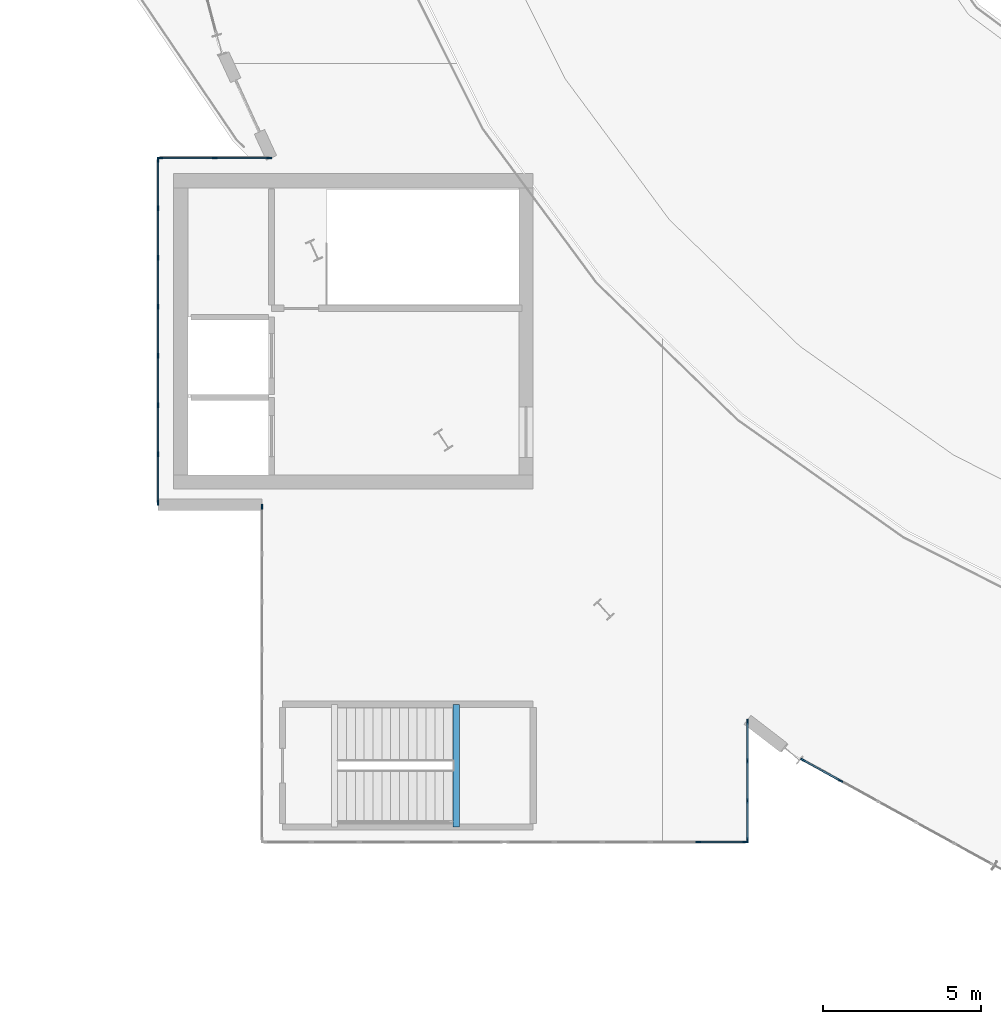
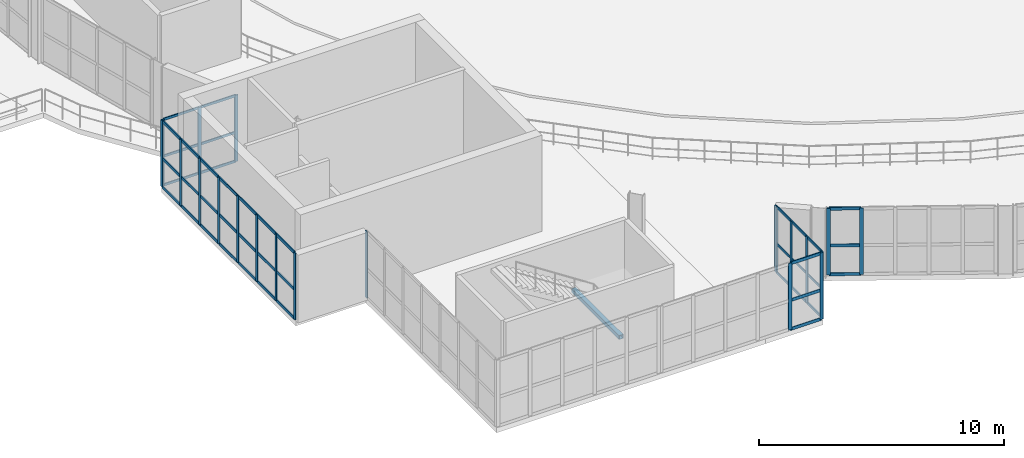
# One storey, part 8 of 40: 62 members, 1 beam, 6 elements without a shape of their own.
"""IFC4 building model written with IfcOpenShell, lengths in metres."""

from ifc_helpers import new_model, si_unit, direction, frame, origin, origin_2d, place, context, subcontext, project, spatial, rectangle, hollow_rectangle, extrude, material, material_profile, profile_set, type_object, element, aggregate, save


model = new_model("IFC4")

# Units and contexts
model_context = context("Model", 3, precision=1e-05, world=origin(), true_north=direction((0.0, 1.0)))
body_context = subcontext(model_context, "Body", "Model", "MODEL_VIEW")
ifc_project = project(units=[si_unit("LENGTHUNIT", "METRE"), si_unit("AREAUNIT", "SQUARE_METRE"), si_unit("VOLUMEUNIT", "CUBIC_METRE"), si_unit("PLANEANGLEUNIT", "RADIAN"), si_unit("MASSUNIT", "GRAM", prefix="KILO")], contexts=[model_context])

# Site, building, storey
site_placement = place(None, origin())
site = spatial("IfcSite", under=ifc_project, at=site_placement, CompositionType="ELEMENT")
building_placement = place(site_placement, origin())
building = spatial("IfcBuilding", under=site, at=building_placement, Name="Glasvene Arena", CompositionType="ELEMENT")
storey_placement = place(building_placement, frame((0.0, 0.0, 24.0)))
storey = spatial("IfcBuildingStorey", under=building, at=storey_placement, Name="L05", CompositionType="ELEMENT", Elevation=24.0)

# Beam
ifc_material_1 = material(Name="Steel S355J2", Category="steel")
ifc_material_profile_1 = material_profile(ifc_material_1, hollow_rectangle(XDim=0.199951171875, YDim=0.199951171875, WallThickness=0.010009765625, at=origin_2d()), Name="SHS 200x200x10.0")
ifc_profile_set_1 = profile_set([ifc_material_profile_1], Name="Steel S355J2")
beam_type = type_object("IfcBeamType", Name="BM-LINTEL-200", PredefinedType="LINTEL", material=ifc_profile_set_1)
beam_placement = place(storey_placement, frame((51.9599609375, 34.280029296875, 2.080078125), z_axis=(0.0, 1.0, 0.0), x_axis=(-1.0, 0.0, 0.0)))
element("IfcBeam", 1, at=beam_placement, inside=storey, type_object=beam_type, Name="Stair half-landing support beam ST-05-L05", PredefinedType="LINTEL", context=body_context, shape_type="SweptSolid", body=[
    extrude(hollow_rectangle(XDim=0.199951171875, YDim=0.199951171875, WallThickness=0.010009765625, at=origin_2d()), origin(), (0.0, 0.0, 1.0), 3.889892578125),
])

# Curtain wall, member
ifc_material_2 = material(Name="Low-emissivity laminated double glazing", Category="glass")
curtain_wall_type_1 = type_object("IfcCurtainWallType", Name="CW-FAC-L05-1062x332", PredefinedType="USERDEFINED", material=ifc_material_2)
curtain_wall_1_placement = place(storey_placement, frame((45.800048828125, 33.840087890625, 0.0)))
curtain_wall_1 = element("IfcCurtainWall", 2, at=curtain_wall_1_placement, inside=storey, type_object=curtain_wall_type_1, Name="Unitised curtain wall CW-F-L05-150-458-392-0", ObjectType="CURTAIN WALL", PredefinedType="USERDEFINED")
ifc_material_3 = material(Name="Anodised architectural aluminium", Category="aluminium")
ifc_material_profile_2 = material_profile(ifc_material_3, rectangle(XDim=0.050048828125, YDim=0.159912109375, at=origin_2d()), Name="ALU MULLION 50x160")
ifc_profile_set_2 = profile_set([ifc_material_profile_2], Name="Anodised architectural aluminium")
member_type_1 = type_object("IfcMemberType", Name="CW-MUL-150", PredefinedType="MULLION", material=ifc_profile_set_2)
member_1_placement = place(storey_placement, frame((45.800048828125, 44.43505859375, 0.06005859375), z_axis=(0.0, 0.0, 1.0), x_axis=(-1.0, 0.0, 0.0)))
member_1 = element("IfcMember", 3, at=member_1_placement, type_object=member_type_1, Name="CW-054 mullion 8", PredefinedType="MULLION", context=body_context, shape_type="SweptSolid", body=[
    extrude(rectangle(XDim=0.050048828125, YDim=0.159912109375, at=origin_2d()), origin(), (0.0, 0.0, 1.0), 3.31982421875),
])
aggregate(curtain_wall_1, [member_1])

# Curtain wall, members
curtain_wall_type_2 = type_object("IfcCurtainWallType", Name="CW-FAC-L05-1092x332", PredefinedType="USERDEFINED", material=ifc_material_2)
curtain_wall_2_placement = place(storey_placement, frame((42.5, 44.5400390625, 0.0)))
curtain_wall_2 = element("IfcCurtainWall", 4, at=curtain_wall_2_placement, inside=storey, type_object=curtain_wall_type_2, Name="Unitised curtain wall CW-F-L05-150-425-500-2", ObjectType="CURTAIN WALL", PredefinedType="USERDEFINED")
member_2_placement = place(storey_placement, frame((42.5, 44.56494140625, 0.06005859375), z_axis=(0.0, 0.0, 1.0), x_axis=(-1.0, 0.0, 0.0)))
member_2 = element("IfcMember", 5, at=member_2_placement, type_object=member_type_1, Name="CW-055 mullion 1", PredefinedType="MULLION", context=body_context, shape_type="SweptSolid", body=[
    extrude(rectangle(XDim=0.050048828125, YDim=0.159912109375, at=origin_2d()), origin(), (0.0, 0.0, 1.0), 3.31982421875),
])
member_3_placement = place(storey_placement, frame((42.5, 46.10009765625, 0.06005859375), z_axis=(0.0, 0.0, 1.0), x_axis=(-1.0, 0.0, 0.0)))
member_3 = element("IfcMember", 6, at=member_3_placement, type_object=member_type_1, Name="CW-055 mullion 2", PredefinedType="MULLION", context=body_context, shape_type="SweptSolid", body=[
    extrude(rectangle(XDim=0.050048828125, YDim=0.159912109375, at=origin_2d()), origin(), (0.0, 0.0, 1.0), 3.31982421875),
])
member_4_placement = place(storey_placement, frame((42.5, 47.659912109375, 0.06005859375), z_axis=(0.0, 0.0, 1.0), x_axis=(-1.0, 0.0, 0.0)))
member_4 = element("IfcMember", 7, at=member_4_placement, type_object=member_type_1, Name="CW-055 mullion 3", PredefinedType="MULLION", context=body_context, shape_type="SweptSolid", body=[
    extrude(rectangle(XDim=0.050048828125, YDim=0.159912109375, at=origin_2d()), origin(), (0.0, 0.0, 1.0), 3.31982421875),
])
member_5_placement = place(storey_placement, frame((42.5, 49.219970703125, 0.06005859375), z_axis=(0.0, 0.0, 1.0), x_axis=(-1.0, 0.0, 0.0)))
member_5 = element("IfcMember", 8, at=member_5_placement, type_object=member_type_1, Name="CW-055 mullion 4", PredefinedType="MULLION", context=body_context, shape_type="SweptSolid", body=[
    extrude(rectangle(XDim=0.050048828125, YDim=0.159912109375, at=origin_2d()), origin(), (0.0, 0.0, 1.0), 3.31982421875),
])
member_6_placement = place(storey_placement, frame((42.5, 50.780029296875, 0.06005859375), z_axis=(0.0, 0.0, 1.0), x_axis=(-1.0, 0.0, 0.0)))
member_6 = element("IfcMember", 9, at=member_6_placement, type_object=member_type_1, Name="CW-055 mullion 5", PredefinedType="MULLION", context=body_context, shape_type="SweptSolid", body=[
    extrude(rectangle(XDim=0.050048828125, YDim=0.159912109375, at=origin_2d()), origin(), (0.0, 0.0, 1.0), 3.31982421875),
])
member_7_placement = place(storey_placement, frame((42.5, 52.340087890625, 0.06005859375), z_axis=(0.0, 0.0, 1.0), x_axis=(-1.0, 0.0, 0.0)))
member_7 = element("IfcMember", 10, at=member_7_placement, type_object=member_type_1, Name="CW-055 mullion 6", PredefinedType="MULLION", context=body_context, shape_type="SweptSolid", body=[
    extrude(rectangle(XDim=0.050048828125, YDim=0.159912109375, at=origin_2d()), origin(), (0.0, 0.0, 1.0), 3.31982421875),
])
member_8_placement = place(storey_placement, frame((42.5, 53.89990234375, 0.06005859375), z_axis=(0.0, 0.0, 1.0), x_axis=(-1.0, 0.0, 0.0)))
member_8 = element("IfcMember", 11, at=member_8_placement, type_object=member_type_1, Name="CW-055 mullion 7", PredefinedType="MULLION", context=body_context, shape_type="SweptSolid", body=[
    extrude(rectangle(XDim=0.050048828125, YDim=0.159912109375, at=origin_2d()), origin(), (0.0, 0.0, 1.0), 3.31982421875),
])
member_9_placement = place(storey_placement, frame((42.5, 55.43505859375, 0.06005859375), z_axis=(0.0, 0.0, 1.0), x_axis=(-1.0, 0.0, 0.0)))
member_9 = element("IfcMember", 12, at=member_9_placement, type_object=member_type_1, Name="CW-055 mullion 8", PredefinedType="MULLION", context=body_context, shape_type="SweptSolid", body=[
    extrude(rectangle(XDim=0.050048828125, YDim=0.159912109375, at=origin_2d()), origin(), (0.0, 0.0, 1.0), 3.31982421875),
])

curtain_wall_type_3 = type_object("IfcCurtainWallType", Name="CW-FAC-L05-352x332", PredefinedType="USERDEFINED", material=ifc_material_2)
curtain_wall_3_placement = place(storey_placement, frame((42.5400390625, 55.5, 0.0)))
curtain_wall_3 = element("IfcCurtainWall", 13, at=curtain_wall_3_placement, inside=storey, type_object=curtain_wall_type_3, Name="Unitised curtain wall CW-F-L05-150-443-555-3", ObjectType="CURTAIN WALL", PredefinedType="USERDEFINED")
member_10_placement = place(storey_placement, frame((42.56494140625, 55.5, 0.06005859375), z_axis=(0.0, 0.0, 1.0), x_axis=(0.0, 1.0, 0.0)))
member_10 = element("IfcMember", 14, at=member_10_placement, type_object=member_type_1, Name="CW-056 mullion 1", PredefinedType="MULLION", context=body_context, shape_type="SweptSolid", body=[
    extrude(rectangle(XDim=0.050048828125, YDim=0.159912109375, at=origin_2d()), origin(), (0.0, 0.0, 1.0), 3.31982421875),
])
member_11_placement = place(storey_placement, frame((44.30078125, 55.5, 0.06005859375), z_axis=(0.0, 0.0, 1.0), x_axis=(0.0, 1.0, 0.0)))
member_11 = element("IfcMember", 15, at=member_11_placement, type_object=member_type_1, Name="CW-056 mullion 2", PredefinedType="MULLION", context=body_context, shape_type="SweptSolid", body=[
    extrude(rectangle(XDim=0.050048828125, YDim=0.159912109375, at=origin_2d()), origin(), (0.0, 0.0, 1.0), 3.31982421875),
])
member_12_placement = place(storey_placement, frame((46.036376953125, 55.5, 0.06005859375), z_axis=(0.0, 0.0, 1.0), x_axis=(0.0, 1.0, 0.0)))
member_12 = element("IfcMember", 16, at=member_12_placement, type_object=member_type_1, Name="CW-056 mullion 3", PredefinedType="MULLION", context=body_context, shape_type="SweptSolid", body=[
    extrude(rectangle(XDim=0.050048828125, YDim=0.159912109375, at=origin_2d()), origin(), (0.0, 0.0, 1.0), 3.31982421875),
])

curtain_wall_type_4 = type_object("IfcCurtainWallType", Name="CW-FAC-L05-690x332", PredefinedType="USERDEFINED", material=ifc_material_2)
curtain_wall_4_placement = place(storey_placement, frame((68.97900390625, 33.081787109375, 0.0)))
curtain_wall_4 = element("IfcCurtainWall", 17, at=curtain_wall_4_placement, inside=storey, type_object=curtain_wall_type_4, Name="Unitised curtain wall CW-F-L05-150-660-347-48", ObjectType="CURTAIN WALL", PredefinedType="USERDEFINED")
member_13_placement = place(storey_placement, frame((64.14501953125, 35.748046875, 0.06005859375), z_axis=(0.0, 0.0, 1.0), x_axis=(-0.482938658483, -0.875654185248, 0.0)))
member_13 = element("IfcMember", 18, at=member_13_placement, type_object=member_type_1, Name="CW-062 mullion 5", PredefinedType="MULLION", context=body_context, shape_type="SweptSolid", body=[
    extrude(rectangle(XDim=0.050048828125, YDim=0.159912109375, at=origin_2d()), origin(), (0.0, 0.0, 1.0), 3.31982421875),
])
member_14_placement = place(storey_placement, frame((62.95849609375, 36.40234375, 0.06005859375), z_axis=(0.0, 0.0, 1.0), x_axis=(-0.482938658483, -0.875654185248, 0.0)))
member_14 = element("IfcMember", 19, at=member_14_placement, type_object=member_type_1, Name="CW-062 mullion 6", PredefinedType="MULLION", context=body_context, shape_type="SweptSolid", body=[
    extrude(rectangle(XDim=0.050048828125, YDim=0.159912109375, at=origin_2d()), origin(), (0.0, 0.0, 1.0), 3.31982421875),
])

curtain_wall_type_5 = type_object("IfcCurtainWallType", Name="CW-FAC-L05-380x332", PredefinedType="USERDEFINED", material=ifc_material_2)
curtain_wall_5_placement = place(storey_placement, frame((61.199951171875, 37.638671875, 0.0)))
curtain_wall_5 = element("IfcCurtainWall", 20, at=curtain_wall_5_placement, inside=storey, type_object=curtain_wall_type_5, Name="Unitised curtain wall CW-F-L05-150-612-357-50", ObjectType="CURTAIN WALL", PredefinedType="USERDEFINED")
member_15_placement = place(storey_placement, frame((61.199951171875, 37.613525390625, 0.06005859375), z_axis=(0.0, 0.0, 1.0), x_axis=(1.0, 0.0, 0.0)))
member_15 = element("IfcMember", 21, at=member_15_placement, type_object=member_type_1, Name="CW-069 mullion 1", PredefinedType="MULLION", context=body_context, shape_type="SweptSolid", body=[
    extrude(rectangle(XDim=0.050048828125, YDim=0.159912109375, at=origin_2d()), origin(), (0.0, 0.0, 1.0), 3.31982421875),
])
member_16_placement = place(storey_placement, frame((61.199951171875, 36.372314453125, 0.06005859375), z_axis=(0.0, 0.0, 1.0), x_axis=(1.0, 0.0, 0.0)))
member_16 = element("IfcMember", 22, at=member_16_placement, type_object=member_type_1, Name="CW-069 mullion 2", PredefinedType="MULLION", context=body_context, shape_type="SweptSolid", body=[
    extrude(rectangle(XDim=0.050048828125, YDim=0.159912109375, at=origin_2d()), origin(), (0.0, 0.0, 1.0), 3.31982421875),
])
member_17_placement = place(storey_placement, frame((61.199951171875, 35.106201171875, 0.06005859375), z_axis=(0.0, 0.0, 1.0), x_axis=(1.0, 0.0, 0.0)))
member_17 = element("IfcMember", 23, at=member_17_placement, type_object=member_type_1, Name="CW-069 mullion 3", PredefinedType="MULLION", context=body_context, shape_type="SweptSolid", body=[
    extrude(rectangle(XDim=0.050048828125, YDim=0.159912109375, at=origin_2d()), origin(), (0.0, 0.0, 1.0), 3.31982421875),
])
member_18_placement = place(storey_placement, frame((61.199951171875, 33.864990234375, 0.06005859375), z_axis=(0.0, 0.0, 1.0), x_axis=(1.0, 0.0, 0.0)))
member_18 = element("IfcMember", 24, at=member_18_placement, type_object=member_type_1, Name="CW-069 mullion 4", PredefinedType="MULLION", context=body_context, shape_type="SweptSolid", body=[
    extrude(rectangle(XDim=0.050048828125, YDim=0.159912109375, at=origin_2d()), origin(), (0.0, 0.0, 1.0), 3.31982421875),
])

curtain_wall_type_6 = type_object("IfcCurtainWallType", Name="CW-FAC-L05-762x332", PredefinedType="USERDEFINED", material=ifc_material_2)
curtain_wall_6_placement = place(storey_placement, frame((61.159912109375, 33.800048828125, 0.0)))
curtain_wall_6 = element("IfcCurtainWall", 25, at=curtain_wall_6_placement, inside=storey, type_object=curtain_wall_type_6, Name="Unitised curtain wall CW-F-L05-150-574-338-51", ObjectType="CURTAIN WALL", PredefinedType="USERDEFINED")
member_19_placement = place(storey_placement, frame((61.135009765625, 33.800048828125, 0.06005859375), z_axis=(0.0, 0.0, 1.0), x_axis=(0.0, -1.0, 0.0)))
member_19 = element("IfcMember", 26, at=member_19_placement, type_object=member_type_1, Name="CW-070 mullion 1", PredefinedType="MULLION", context=body_context, shape_type="SweptSolid", body=[
    extrude(rectangle(XDim=0.050048828125, YDim=0.159912109375, at=origin_2d()), origin(), (0.0, 0.0, 1.0), 3.31982421875),
])
member_20_placement = place(storey_placement, frame((59.635986328125, 33.800048828125, 0.06005859375), z_axis=(0.0, 0.0, 1.0), x_axis=(0.0, -1.0, 0.0)))
member_20 = element("IfcMember", 27, at=member_20_placement, type_object=member_type_1, Name="CW-070 mullion 2", PredefinedType="MULLION", context=body_context, shape_type="SweptSolid", body=[
    extrude(rectangle(XDim=0.050048828125, YDim=0.159912109375, at=origin_2d()), origin(), (0.0, 0.0, 1.0), 3.31982421875),
])

# Member
ifc_material_profile_3 = material_profile(ifc_material_3, rectangle(XDim=0.050048828125, YDim=0.1201171875, at=origin_2d()), Name="ALU TRANSOM 50x120")
ifc_profile_set_3 = profile_set([ifc_material_profile_3], Name="Anodised architectural aluminium")
member_type_2 = type_object("IfcMemberType", Name="CW-TRN-120", PredefinedType="USERDEFINED", material=ifc_profile_set_3)
member_21_placement = place(storey_placement, frame((42.590087890625, 55.5, 0.0849609375), z_axis=(1.0, 0.0, 0.0), x_axis=(0.0, 1.0, 0.0)))
member_21 = element("IfcMember", 28, at=member_21_placement, type_object=member_type_2, Name="CW-056 transom 1.1", ObjectType="TRANSOM", PredefinedType="USERDEFINED", context=body_context, shape_type="SweptSolid", body=[
    extrude(rectangle(XDim=0.050048828125, YDim=0.1201171875, at=origin_2d()), origin(), (0.0, 0.0, 1.0), 1.685546875),
])

member_22_placement = place(storey_placement, frame((42.590087890625, 55.5, 1.52099609375), z_axis=(1.0, 0.0, 0.0), x_axis=(0.0, 1.0, 0.0)))
member_22 = element("IfcMember", 29, at=member_22_placement, type_object=member_type_2, Name="CW-056 transom 1.2", ObjectType="TRANSOM", PredefinedType="USERDEFINED", context=body_context, shape_type="SweptSolid", body=[
    extrude(rectangle(XDim=0.050048828125, YDim=0.1201171875, at=origin_2d()), origin(), (0.0, 0.0, 1.0), 1.685546875),
])

member_23_placement = place(storey_placement, frame((42.590087890625, 55.5, 3.35498046875), z_axis=(1.0, 0.0, 0.0), x_axis=(0.0, 1.0, 0.0)))
member_23 = element("IfcMember", 30, at=member_23_placement, type_object=member_type_2, Name="CW-056 transom 1.3", ObjectType="TRANSOM", PredefinedType="USERDEFINED", context=body_context, shape_type="SweptSolid", body=[
    extrude(rectangle(XDim=0.050048828125, YDim=0.1201171875, at=origin_2d()), origin(), (0.0, 0.0, 1.0), 1.685546875),
])

member_24_placement = place(storey_placement, frame((44.32568359375, 55.5, 0.0849609375), z_axis=(1.0, 0.0, 0.0), x_axis=(0.0, 1.0, 0.0)))
member_24 = element("IfcMember", 31, at=member_24_placement, type_object=member_type_2, Name="CW-056 transom 2.1", ObjectType="TRANSOM", PredefinedType="USERDEFINED", context=body_context, shape_type="SweptSolid", body=[
    extrude(rectangle(XDim=0.050048828125, YDim=0.1201171875, at=origin_2d()), origin(), (0.0, 0.0, 1.0), 1.685791015625),
])

member_25_placement = place(storey_placement, frame((44.32568359375, 55.5, 1.52099609375), z_axis=(1.0, 0.0, 0.0), x_axis=(0.0, 1.0, 0.0)))
member_25 = element("IfcMember", 32, at=member_25_placement, type_object=member_type_2, Name="CW-056 transom 2.2", ObjectType="TRANSOM", PredefinedType="USERDEFINED", context=body_context, shape_type="SweptSolid", body=[
    extrude(rectangle(XDim=0.050048828125, YDim=0.1201171875, at=origin_2d()), origin(), (0.0, 0.0, 1.0), 1.685791015625),
])

member_26_placement = place(storey_placement, frame((44.32568359375, 55.5, 3.35498046875), z_axis=(1.0, 0.0, 0.0), x_axis=(0.0, 1.0, 0.0)))
member_26 = element("IfcMember", 33, at=member_26_placement, type_object=member_type_2, Name="CW-056 transom 2.3", ObjectType="TRANSOM", PredefinedType="USERDEFINED", context=body_context, shape_type="SweptSolid", body=[
    extrude(rectangle(XDim=0.050048828125, YDim=0.1201171875, at=origin_2d()), origin(), (0.0, 0.0, 1.0), 1.685791015625),
])

aggregate(curtain_wall_3, [member_10, member_11, member_12, member_21, member_22, member_23, member_24, member_25, member_26])

member_27_placement = place(storey_placement, frame((61.199951171875, 37.588623046875, 0.0849609375), z_axis=(0.0, -1.0, 0.0), x_axis=(1.0, 0.0, 0.0)))
member_27 = element("IfcMember", 34, at=member_27_placement, type_object=member_type_2, Name="CW-069 transom 1.1", ObjectType="TRANSOM", PredefinedType="USERDEFINED", context=body_context, shape_type="SweptSolid", body=[
    extrude(rectangle(XDim=0.050048828125, YDim=0.1201171875, at=origin_2d()), origin(), (0.0, 0.0, 1.0), 1.191162109375),
])

member_28_placement = place(storey_placement, frame((61.199951171875, 37.588623046875, 1.52099609375), z_axis=(0.0, -1.0, 0.0), x_axis=(1.0, 0.0, 0.0)))
member_28 = element("IfcMember", 35, at=member_28_placement, type_object=member_type_2, Name="CW-069 transom 1.2", ObjectType="TRANSOM", PredefinedType="USERDEFINED", context=body_context, shape_type="SweptSolid", body=[
    extrude(rectangle(XDim=0.050048828125, YDim=0.1201171875, at=origin_2d()), origin(), (0.0, 0.0, 1.0), 1.191162109375),
])

member_29_placement = place(storey_placement, frame((61.199951171875, 37.588623046875, 3.35498046875), z_axis=(0.0, -1.0, 0.0), x_axis=(1.0, 0.0, 0.0)))
member_29 = element("IfcMember", 36, at=member_29_placement, type_object=member_type_2, Name="CW-069 transom 1.3", ObjectType="TRANSOM", PredefinedType="USERDEFINED", context=body_context, shape_type="SweptSolid", body=[
    extrude(rectangle(XDim=0.050048828125, YDim=0.1201171875, at=origin_2d()), origin(), (0.0, 0.0, 1.0), 1.191162109375),
])

member_30_placement = place(storey_placement, frame((61.199951171875, 36.347412109375, 0.0849609375), z_axis=(0.0, -1.0, 0.0), x_axis=(1.0, 0.0, 0.0)))
member_30 = element("IfcMember", 37, at=member_30_placement, type_object=member_type_2, Name="CW-069 transom 2.1", ObjectType="TRANSOM", PredefinedType="USERDEFINED", context=body_context, shape_type="SweptSolid", body=[
    extrude(rectangle(XDim=0.050048828125, YDim=0.1201171875, at=origin_2d()), origin(), (0.0, 0.0, 1.0), 1.21630859375),
])

member_31_placement = place(storey_placement, frame((61.199951171875, 36.347412109375, 1.52099609375), z_axis=(0.0, -1.0, 0.0), x_axis=(1.0, 0.0, 0.0)))
member_31 = element("IfcMember", 38, at=member_31_placement, type_object=member_type_2, Name="CW-069 transom 2.2", ObjectType="TRANSOM", PredefinedType="USERDEFINED", context=body_context, shape_type="SweptSolid", body=[
    extrude(rectangle(XDim=0.050048828125, YDim=0.1201171875, at=origin_2d()), origin(), (0.0, 0.0, 1.0), 1.21630859375),
])

member_32_placement = place(storey_placement, frame((61.199951171875, 36.347412109375, 3.35498046875), z_axis=(0.0, -1.0, 0.0), x_axis=(1.0, 0.0, 0.0)))
member_32 = element("IfcMember", 39, at=member_32_placement, type_object=member_type_2, Name="CW-069 transom 2.3", ObjectType="TRANSOM", PredefinedType="USERDEFINED", context=body_context, shape_type="SweptSolid", body=[
    extrude(rectangle(XDim=0.050048828125, YDim=0.1201171875, at=origin_2d()), origin(), (0.0, 0.0, 1.0), 1.21630859375),
])

member_33_placement = place(storey_placement, frame((61.199951171875, 35.081298828125, 0.0849609375), z_axis=(0.0, -1.0, 0.0), x_axis=(1.0, 0.0, 0.0)))
member_33 = element("IfcMember", 40, at=member_33_placement, type_object=member_type_2, Name="CW-069 transom 3.1", ObjectType="TRANSOM", PredefinedType="USERDEFINED", context=body_context, shape_type="SweptSolid", body=[
    extrude(rectangle(XDim=0.050048828125, YDim=0.1201171875, at=origin_2d()), origin(), (0.0, 0.0, 1.0), 1.19140625),
])

member_34_placement = place(storey_placement, frame((61.199951171875, 35.081298828125, 1.52099609375), z_axis=(0.0, -1.0, 0.0), x_axis=(1.0, 0.0, 0.0)))
member_34 = element("IfcMember", 41, at=member_34_placement, type_object=member_type_2, Name="CW-069 transom 3.2", ObjectType="TRANSOM", PredefinedType="USERDEFINED", context=body_context, shape_type="SweptSolid", body=[
    extrude(rectangle(XDim=0.050048828125, YDim=0.1201171875, at=origin_2d()), origin(), (0.0, 0.0, 1.0), 1.19140625),
])

member_35_placement = place(storey_placement, frame((61.199951171875, 35.081298828125, 3.35498046875), z_axis=(0.0, -1.0, 0.0), x_axis=(1.0, 0.0, 0.0)))
member_35 = element("IfcMember", 42, at=member_35_placement, type_object=member_type_2, Name="CW-069 transom 3.3", ObjectType="TRANSOM", PredefinedType="USERDEFINED", context=body_context, shape_type="SweptSolid", body=[
    extrude(rectangle(XDim=0.050048828125, YDim=0.1201171875, at=origin_2d()), origin(), (0.0, 0.0, 1.0), 1.19140625),
])

aggregate(curtain_wall_5, [member_15, member_16, member_17, member_18, member_27, member_28, member_29, member_30, member_31, member_32, member_33, member_34, member_35])

ifc_material_profile_4 = material_profile(ifc_material_3, rectangle(XDim=0.050048828125, YDim=0.14990234375, at=origin_2d()), Name="ALU TRANSOM 50x150")
ifc_profile_set_4 = profile_set([ifc_material_profile_4], Name="Anodised architectural aluminium")
member_type_3 = type_object("IfcMemberType", Name="CW-TRN-150", PredefinedType="USERDEFINED", material=ifc_profile_set_4)
member_36_placement = place(storey_placement, frame((42.5, 44.590087890625, 0.0849609375), z_axis=(0.0, 1.0, 0.0), x_axis=(-1.0, 0.0, 0.0)))
member_36 = element("IfcMember", 43, at=member_36_placement, type_object=member_type_3, Name="CW-055 transom 1.1", ObjectType="TRANSOM", PredefinedType="USERDEFINED", context=body_context, shape_type="SweptSolid", body=[
    extrude(rectangle(XDim=0.050048828125, YDim=0.14990234375, at=origin_2d()), origin(), (0.0, 0.0, 1.0), 1.48486328125),
])

member_37_placement = place(storey_placement, frame((42.5, 44.590087890625, 1.52099609375), z_axis=(0.0, 1.0, 0.0), x_axis=(-1.0, 0.0, 0.0)))
member_37 = element("IfcMember", 44, at=member_37_placement, type_object=member_type_3, Name="CW-055 transom 1.2", ObjectType="TRANSOM", PredefinedType="USERDEFINED", context=body_context, shape_type="SweptSolid", body=[
    extrude(rectangle(XDim=0.050048828125, YDim=0.14990234375, at=origin_2d()), origin(), (0.0, 0.0, 1.0), 1.48486328125),
])

member_38_placement = place(storey_placement, frame((42.5, 44.590087890625, 3.35498046875), z_axis=(0.0, 1.0, 0.0), x_axis=(-1.0, 0.0, 0.0)))
member_38 = element("IfcMember", 45, at=member_38_placement, type_object=member_type_3, Name="CW-055 transom 1.3", ObjectType="TRANSOM", PredefinedType="USERDEFINED", context=body_context, shape_type="SweptSolid", body=[
    extrude(rectangle(XDim=0.050048828125, YDim=0.14990234375, at=origin_2d()), origin(), (0.0, 0.0, 1.0), 1.48486328125),
])

member_39_placement = place(storey_placement, frame((42.5, 46.125, 0.0849609375), z_axis=(0.0, 1.0, 0.0), x_axis=(-1.0, 0.0, 0.0)))
member_39 = element("IfcMember", 46, at=member_39_placement, type_object=member_type_3, Name="CW-055 transom 2.1", ObjectType="TRANSOM", PredefinedType="USERDEFINED", context=body_context, shape_type="SweptSolid", body=[
    extrude(rectangle(XDim=0.050048828125, YDim=0.14990234375, at=origin_2d()), origin(), (0.0, 0.0, 1.0), 1.510009765625),
])

member_40_placement = place(storey_placement, frame((42.5, 46.125, 1.52099609375), z_axis=(0.0, 1.0, 0.0), x_axis=(-1.0, 0.0, 0.0)))
member_40 = element("IfcMember", 47, at=member_40_placement, type_object=member_type_3, Name="CW-055 transom 2.2", ObjectType="TRANSOM", PredefinedType="USERDEFINED", context=body_context, shape_type="SweptSolid", body=[
    extrude(rectangle(XDim=0.050048828125, YDim=0.14990234375, at=origin_2d()), origin(), (0.0, 0.0, 1.0), 1.510009765625),
])

member_41_placement = place(storey_placement, frame((42.5, 46.125, 3.35498046875), z_axis=(0.0, 1.0, 0.0), x_axis=(-1.0, 0.0, 0.0)))
member_41 = element("IfcMember", 48, at=member_41_placement, type_object=member_type_3, Name="CW-055 transom 2.3", ObjectType="TRANSOM", PredefinedType="USERDEFINED", context=body_context, shape_type="SweptSolid", body=[
    extrude(rectangle(XDim=0.050048828125, YDim=0.14990234375, at=origin_2d()), origin(), (0.0, 0.0, 1.0), 1.510009765625),
])

member_42_placement = place(storey_placement, frame((42.5, 47.68505859375, 0.0849609375), z_axis=(0.0, 1.0, 0.0), x_axis=(-1.0, 0.0, 0.0)))
member_42 = element("IfcMember", 49, at=member_42_placement, type_object=member_type_3, Name="CW-055 transom 3.1", ObjectType="TRANSOM", PredefinedType="USERDEFINED", context=body_context, shape_type="SweptSolid", body=[
    extrude(rectangle(XDim=0.050048828125, YDim=0.14990234375, at=origin_2d()), origin(), (0.0, 0.0, 1.0), 1.510009765625),
])

member_43_placement = place(storey_placement, frame((42.5, 47.68505859375, 1.52099609375), z_axis=(0.0, 1.0, 0.0), x_axis=(-1.0, 0.0, 0.0)))
member_43 = element("IfcMember", 50, at=member_43_placement, type_object=member_type_3, Name="CW-055 transom 3.2", ObjectType="TRANSOM", PredefinedType="USERDEFINED", context=body_context, shape_type="SweptSolid", body=[
    extrude(rectangle(XDim=0.050048828125, YDim=0.14990234375, at=origin_2d()), origin(), (0.0, 0.0, 1.0), 1.510009765625),
])

member_44_placement = place(storey_placement, frame((42.5, 47.68505859375, 3.35498046875), z_axis=(0.0, 1.0, 0.0), x_axis=(-1.0, 0.0, 0.0)))
member_44 = element("IfcMember", 51, at=member_44_placement, type_object=member_type_3, Name="CW-055 transom 3.3", ObjectType="TRANSOM", PredefinedType="USERDEFINED", context=body_context, shape_type="SweptSolid", body=[
    extrude(rectangle(XDim=0.050048828125, YDim=0.14990234375, at=origin_2d()), origin(), (0.0, 0.0, 1.0), 1.510009765625),
])

member_45_placement = place(storey_placement, frame((42.5, 49.2451171875, 0.0849609375), z_axis=(0.0, 1.0, 0.0), x_axis=(-1.0, 0.0, 0.0)))
member_45 = element("IfcMember", 52, at=member_45_placement, type_object=member_type_3, Name="CW-055 transom 4.1", ObjectType="TRANSOM", PredefinedType="USERDEFINED", context=body_context, shape_type="SweptSolid", body=[
    extrude(rectangle(XDim=0.050048828125, YDim=0.14990234375, at=origin_2d()), origin(), (0.0, 0.0, 1.0), 1.509765625),
])

member_46_placement = place(storey_placement, frame((42.5, 49.2451171875, 1.52099609375), z_axis=(0.0, 1.0, 0.0), x_axis=(-1.0, 0.0, 0.0)))
member_46 = element("IfcMember", 53, at=member_46_placement, type_object=member_type_3, Name="CW-055 transom 4.2", ObjectType="TRANSOM", PredefinedType="USERDEFINED", context=body_context, shape_type="SweptSolid", body=[
    extrude(rectangle(XDim=0.050048828125, YDim=0.14990234375, at=origin_2d()), origin(), (0.0, 0.0, 1.0), 1.509765625),
])

member_47_placement = place(storey_placement, frame((42.5, 49.2451171875, 3.35498046875), z_axis=(0.0, 1.0, 0.0), x_axis=(-1.0, 0.0, 0.0)))
member_47 = element("IfcMember", 54, at=member_47_placement, type_object=member_type_3, Name="CW-055 transom 4.3", ObjectType="TRANSOM", PredefinedType="USERDEFINED", context=body_context, shape_type="SweptSolid", body=[
    extrude(rectangle(XDim=0.050048828125, YDim=0.14990234375, at=origin_2d()), origin(), (0.0, 0.0, 1.0), 1.509765625),
])

member_48_placement = place(storey_placement, frame((42.5, 50.804931640625, 0.0849609375), z_axis=(0.0, 1.0, 0.0), x_axis=(-1.0, 0.0, 0.0)))
member_48 = element("IfcMember", 55, at=member_48_placement, type_object=member_type_3, Name="CW-055 transom 5.1", ObjectType="TRANSOM", PredefinedType="USERDEFINED", context=body_context, shape_type="SweptSolid", body=[
    extrude(rectangle(XDim=0.050048828125, YDim=0.14990234375, at=origin_2d()), origin(), (0.0, 0.0, 1.0), 1.510009765625),
])

member_49_placement = place(storey_placement, frame((42.5, 50.804931640625, 1.52099609375), z_axis=(0.0, 1.0, 0.0), x_axis=(-1.0, 0.0, 0.0)))
member_49 = element("IfcMember", 56, at=member_49_placement, type_object=member_type_3, Name="CW-055 transom 5.2", ObjectType="TRANSOM", PredefinedType="USERDEFINED", context=body_context, shape_type="SweptSolid", body=[
    extrude(rectangle(XDim=0.050048828125, YDim=0.14990234375, at=origin_2d()), origin(), (0.0, 0.0, 1.0), 1.510009765625),
])

member_50_placement = place(storey_placement, frame((42.5, 50.804931640625, 3.35498046875), z_axis=(0.0, 1.0, 0.0), x_axis=(-1.0, 0.0, 0.0)))
member_50 = element("IfcMember", 57, at=member_50_placement, type_object=member_type_3, Name="CW-055 transom 5.3", ObjectType="TRANSOM", PredefinedType="USERDEFINED", context=body_context, shape_type="SweptSolid", body=[
    extrude(rectangle(XDim=0.050048828125, YDim=0.14990234375, at=origin_2d()), origin(), (0.0, 0.0, 1.0), 1.510009765625),
])

member_51_placement = place(storey_placement, frame((42.5, 52.364990234375, 0.0849609375), z_axis=(0.0, 1.0, 0.0), x_axis=(-1.0, 0.0, 0.0)))
member_51 = element("IfcMember", 58, at=member_51_placement, type_object=member_type_3, Name="CW-055 transom 6.1", ObjectType="TRANSOM", PredefinedType="USERDEFINED", context=body_context, shape_type="SweptSolid", body=[
    extrude(rectangle(XDim=0.050048828125, YDim=0.14990234375, at=origin_2d()), origin(), (0.0, 0.0, 1.0), 1.510009765625),
])

member_52_placement = place(storey_placement, frame((42.5, 52.364990234375, 1.52099609375), z_axis=(0.0, 1.0, 0.0), x_axis=(-1.0, 0.0, 0.0)))
member_52 = element("IfcMember", 59, at=member_52_placement, type_object=member_type_3, Name="CW-055 transom 6.2", ObjectType="TRANSOM", PredefinedType="USERDEFINED", context=body_context, shape_type="SweptSolid", body=[
    extrude(rectangle(XDim=0.050048828125, YDim=0.14990234375, at=origin_2d()), origin(), (0.0, 0.0, 1.0), 1.510009765625),
])

member_53_placement = place(storey_placement, frame((42.5, 52.364990234375, 3.35498046875), z_axis=(0.0, 1.0, 0.0), x_axis=(-1.0, 0.0, 0.0)))
member_53 = element("IfcMember", 60, at=member_53_placement, type_object=member_type_3, Name="CW-055 transom 6.3", ObjectType="TRANSOM", PredefinedType="USERDEFINED", context=body_context, shape_type="SweptSolid", body=[
    extrude(rectangle(XDim=0.050048828125, YDim=0.14990234375, at=origin_2d()), origin(), (0.0, 0.0, 1.0), 1.510009765625),
])

member_54_placement = place(storey_placement, frame((42.5, 53.925048828125, 0.0849609375), z_axis=(0.0, 1.0, 0.0), x_axis=(-1.0, 0.0, 0.0)))
member_54 = element("IfcMember", 61, at=member_54_placement, type_object=member_type_3, Name="CW-055 transom 7.1", ObjectType="TRANSOM", PredefinedType="USERDEFINED", context=body_context, shape_type="SweptSolid", body=[
    extrude(rectangle(XDim=0.050048828125, YDim=0.14990234375, at=origin_2d()), origin(), (0.0, 0.0, 1.0), 1.48486328125),
])

member_55_placement = place(storey_placement, frame((42.5, 53.925048828125, 1.52099609375), z_axis=(0.0, 1.0, 0.0), x_axis=(-1.0, 0.0, 0.0)))
member_55 = element("IfcMember", 62, at=member_55_placement, type_object=member_type_3, Name="CW-055 transom 7.2", ObjectType="TRANSOM", PredefinedType="USERDEFINED", context=body_context, shape_type="SweptSolid", body=[
    extrude(rectangle(XDim=0.050048828125, YDim=0.14990234375, at=origin_2d()), origin(), (0.0, 0.0, 1.0), 1.48486328125),
])

member_56_placement = place(storey_placement, frame((42.5, 53.925048828125, 3.35498046875), z_axis=(0.0, 1.0, 0.0), x_axis=(-1.0, 0.0, 0.0)))
member_56 = element("IfcMember", 63, at=member_56_placement, type_object=member_type_3, Name="CW-055 transom 7.3", ObjectType="TRANSOM", PredefinedType="USERDEFINED", context=body_context, shape_type="SweptSolid", body=[
    extrude(rectangle(XDim=0.050048828125, YDim=0.14990234375, at=origin_2d()), origin(), (0.0, 0.0, 1.0), 1.48486328125),
])

aggregate(curtain_wall_2, [member_2, member_3, member_4, member_5, member_6, member_7, member_8, member_9, member_36, member_37, member_38, member_39, member_40, member_41, member_42, member_43, member_44, member_45, member_46, member_47, member_48, member_49, member_50, member_51, member_52, member_53, member_54, member_55, member_56])

member_57_placement = place(storey_placement, frame((64.123046875, 35.760009765625, 0.0849609375), z_axis=(-0.875626789087, 0.482988329293, 0.0), x_axis=(-0.482988329293, -0.875626789087, 0.0)))
member_57 = element("IfcMember", 64, at=member_57_placement, type_object=member_type_3, Name="CW-062 transom 5.1", ObjectType="TRANSOM", PredefinedType="USERDEFINED", context=body_context, shape_type="SweptSolid", body=[
    extrude(rectangle(XDim=0.050048828125, YDim=0.14990234375, at=origin_2d()), origin(), (0.0, 0.0, 1.0), 1.30517578125),
])

member_58_placement = place(storey_placement, frame((64.123046875, 35.760009765625, 1.52099609375), z_axis=(-0.875626789087, 0.482988329293, 0.0), x_axis=(-0.482988329293, -0.875626789087, 0.0)))
member_58 = element("IfcMember", 65, at=member_58_placement, type_object=member_type_3, Name="CW-062 transom 5.2", ObjectType="TRANSOM", PredefinedType="USERDEFINED", context=body_context, shape_type="SweptSolid", body=[
    extrude(rectangle(XDim=0.050048828125, YDim=0.14990234375, at=origin_2d()), origin(), (0.0, 0.0, 1.0), 1.30517578125),
])

member_59_placement = place(storey_placement, frame((64.123046875, 35.760009765625, 3.35498046875), z_axis=(-0.875626789087, 0.482988329293, 0.0), x_axis=(-0.482988329293, -0.875626789087, 0.0)))
member_59 = element("IfcMember", 66, at=member_59_placement, type_object=member_type_3, Name="CW-062 transom 5.3", ObjectType="TRANSOM", PredefinedType="USERDEFINED", context=body_context, shape_type="SweptSolid", body=[
    extrude(rectangle(XDim=0.050048828125, YDim=0.14990234375, at=origin_2d()), origin(), (0.0, 0.0, 1.0), 1.30517578125),
])

aggregate(curtain_wall_4, [member_13, member_14, member_57, member_58, member_59])

member_60_placement = place(storey_placement, frame((61.110107421875, 33.800048828125, 0.0849609375), z_axis=(-1.0, 0.0, 0.0), x_axis=(0.0, -1.0, 0.0)))
member_60 = element("IfcMember", 67, at=member_60_placement, type_object=member_type_3, Name="CW-070 transom 1.1", ObjectType="TRANSOM", PredefinedType="USERDEFINED", context=body_context, shape_type="SweptSolid", body=[
    extrude(rectangle(XDim=0.050048828125, YDim=0.14990234375, at=origin_2d()), origin(), (0.0, 0.0, 1.0), 1.44921875),
])

member_61_placement = place(storey_placement, frame((61.110107421875, 33.800048828125, 1.52099609375), z_axis=(-1.0, 0.0, 0.0), x_axis=(0.0, -1.0, 0.0)))
member_61 = element("IfcMember", 68, at=member_61_placement, type_object=member_type_3, Name="CW-070 transom 1.2", ObjectType="TRANSOM", PredefinedType="USERDEFINED", context=body_context, shape_type="SweptSolid", body=[
    extrude(rectangle(XDim=0.050048828125, YDim=0.14990234375, at=origin_2d()), origin(), (0.0, 0.0, 1.0), 1.44921875),
])

member_62_placement = place(storey_placement, frame((61.110107421875, 33.800048828125, 3.35498046875), z_axis=(-1.0, 0.0, 0.0), x_axis=(0.0, -1.0, 0.0)))
member_62 = element("IfcMember", 69, at=member_62_placement, type_object=member_type_3, Name="CW-070 transom 1.3", ObjectType="TRANSOM", PredefinedType="USERDEFINED", context=body_context, shape_type="SweptSolid", body=[
    extrude(rectangle(XDim=0.050048828125, YDim=0.14990234375, at=origin_2d()), origin(), (0.0, 0.0, 1.0), 1.44921875),
])

aggregate(curtain_wall_6, [member_19, member_20, member_60, member_61, member_62])

save(model, "model.ifc")
